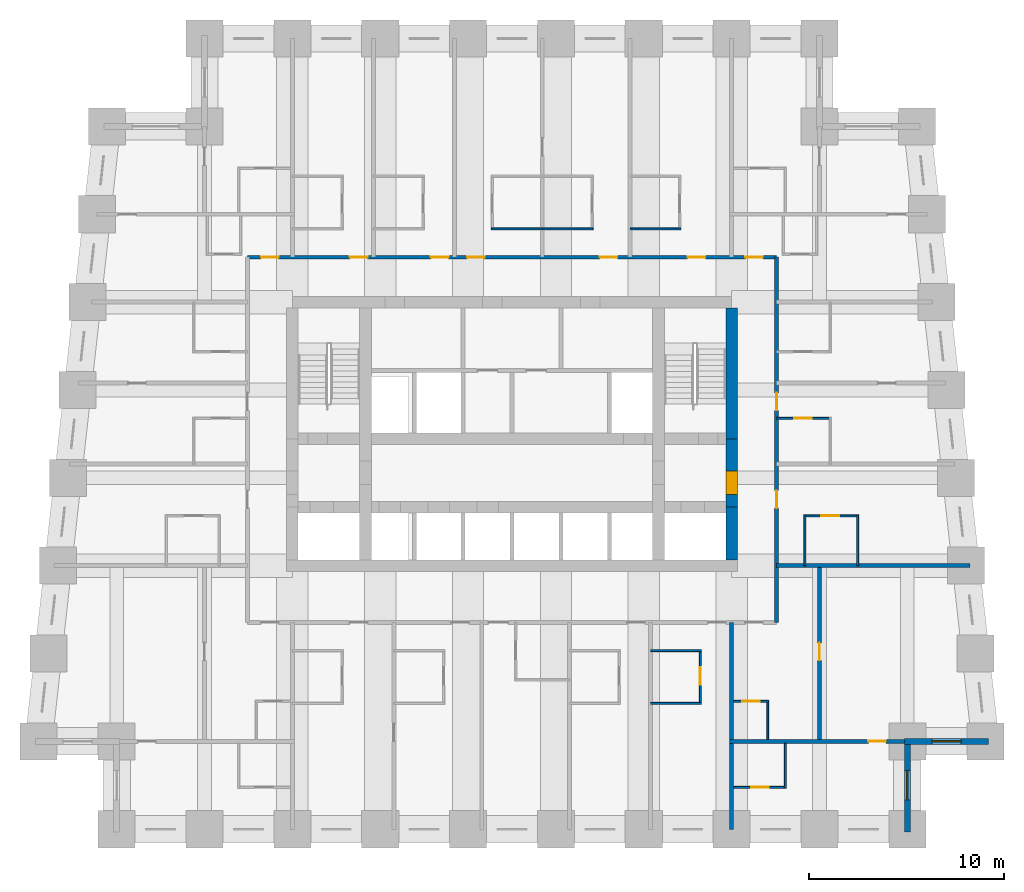
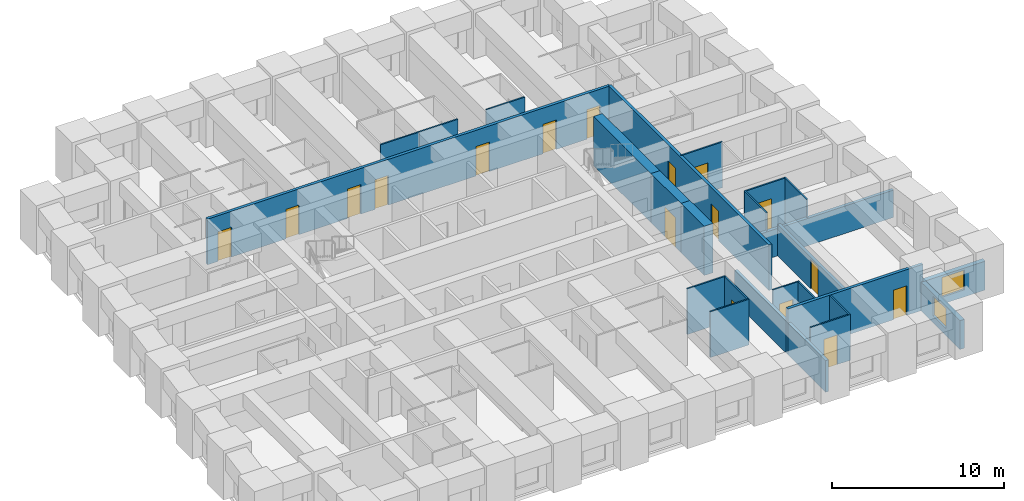
# One storey, part 5 of 8: 25 walls, 17 doors, 2 windows, 19 openings.
"""IFC4 building model written with IfcOpenShell, lengths in metres."""

from ifc_helpers import new_model, si_unit, direction, frame, frame_2d, origin, place, context, subcontext, project, spatial, rectangle, extrude, material, layer, layer_set, type_object, element, fill, save


model = new_model("IFC4")

# Units and contexts
model_context = context("Model", 3, precision=1e-05, world=origin(), true_north=direction((0.0, 1.0)))
body_context = subcontext(model_context, "Body", "Model", "MODEL_VIEW")
ifc_project = project(units=[si_unit("LENGTHUNIT", "METRE"), si_unit("AREAUNIT", "SQUARE_METRE"), si_unit("VOLUMEUNIT", "CUBIC_METRE"), si_unit("PLANEANGLEUNIT", "RADIAN"), si_unit("MASSUNIT", "GRAM", prefix="KILO")], contexts=[model_context])

# Site, building, storey
site_placement = place(None, origin())
site = spatial("IfcSite", under=ifc_project, at=site_placement, CompositionType="ELEMENT")
building_placement = place(site_placement, origin())
building = spatial("IfcBuilding", under=site, at=building_placement, Name="Kilele Tower Hotel", CompositionType="ELEMENT")
storey_placement = place(building_placement, frame((0.0, 0.0, 47.199951171875)))
storey = spatial("IfcBuildingStorey", under=building, at=storey_placement, Name="L10", CompositionType="ELEMENT", Elevation=47.199951171875)

# Walls
ifc_material_1 = material(Name="Moisture-resistant board")
ifc_layer_1 = layer(ifc_material_1, 0.10009765625)
ifc_layer_set_1 = layer_set([ifc_layer_1], Name="Moisture-resistant board")
wall_type_1 = type_object("IfcWallType", Name="Bathroom partition 100", PredefinedType="PLUMBINGWALL", material=ifc_layer_set_1)
for number, where, z_axis, x_axis, name in (
    (1, (31.85009765625, 9.14990234375, 0.0), (0.0, 0.0, 1.0), (1.0, 0.0, 0.0), "Bathroom partition 100 L10"),
    (2, (31.85009765625, 6.449951171875, 0.0), (0.0, 0.0, 1.0), (1.0, 0.0, 0.0), "Bathroom partition 100 L10"),
):
    element("IfcWall", number, at=place(storey_placement, frame(where, z_axis=z_axis, x_axis=x_axis)), inside=storey, type_object=wall_type_1, Name=name, PredefinedType="PLUMBINGWALL", context=body_context, shape_type="SweptSolid", body=[
        extrude(rectangle(XDim=2.599853515625, YDim=0.10009765625, at=frame_2d((1.2998046875, 0.0))), origin(), (0.0, 0.0, 1.0), 3.25),
    ])

# Wall, opening, door
wall_1_placement = place(storey_placement, frame((34.39990234375, 9.199951171875, 0.0), z_axis=(0.0, 0.0, 1.0), x_axis=(0.0, -1.0, 0.0)))
wall_1 = element("IfcWall", 3, at=wall_1_placement, inside=storey, type_object=wall_type_1, Name="Bathroom partition 100 L10", PredefinedType="PLUMBINGWALL", context=body_context, shape_type="SweptSolid", body=[
    extrude(rectangle(XDim=2.800048828125, YDim=0.10009765625, at=frame_2d((1.39990234375, 0.0))), origin(), (0.0, 0.0, 1.0), 3.25),
])
opening_1_placement = place(wall_1_placement, frame((0.89990234375, 0.0, 0.0)))
opening_1 = element("IfcOpeningElement", 4, at=opening_1_placement, cuts=wall_1, Name="Opening D2A", PredefinedType="OPENING", context=body_context, shape_type="SweptSolid", body=[
    extrude(rectangle(XDim=0.89990234375, YDim=2.10009765625, at=frame_2d((0.449951171875, 1.050048828125))), frame((0.0, 0.06005859375, 0.0), z_axis=(0.0, -1.0, 0.0), x_axis=(1.0, 0.0, 0.0)), (0.0, 0.0, 1.0), 0.1201171875),
])
ifc_material_2 = material(Name="Timber door leaf in hardwood frame", Category="wood")
door_type_1 = type_object("IfcDoorType", Name="Bathroom door 900", OperationType="SINGLE_SWING_LEFT", PredefinedType="DOOR", material=ifc_material_2)
door_1_placement = place(opening_1_placement, origin())
door_1 = element("IfcDoor", 5, at=door_1_placement, inside=storey, type_object=door_type_1, Name="Bathroom door 1005B", OperationType="SINGLE_SWING_LEFT", OverallHeight=2.10009765625, OverallWidth=0.89990234375, PredefinedType="DOOR", context=body_context, shape_type="SweptSolid", body=[
    extrude(rectangle(XDim=0.89990234375, YDim=2.10009765625, at=frame_2d((0.449951171875, 1.050048828125))), frame((0.0, 0.02490234375, 0.0), z_axis=(0.0, -1.0, 0.0), x_axis=(1.0, 0.0, 0.0)), (0.0, 0.0, 1.0), 0.050048828125),
])
fill(opening_1, door_1)

# Walls
for number, where, z_axis, x_axis, name in (
    (6, (39.75, 13.5, 0.0), (0.0, 0.0, 1.0), (0.0, 1.0, 0.0), "Bathroom partition 100 L10"),
    (7, (42.449951171875, 13.5, 0.0), (0.0, 0.0, 1.0), (0.0, 1.0, 0.0), "Bathroom partition 100 L10"),
):
    element("IfcWall", number, at=place(storey_placement, frame(where, z_axis=z_axis, x_axis=x_axis)), inside=storey, type_object=wall_type_1, Name=name, PredefinedType="PLUMBINGWALL", context=body_context, shape_type="SweptSolid", body=[
        extrude(rectangle(XDim=2.60009765625, YDim=0.10009765625, at=frame_2d((1.300048828125, 0.0))), origin(), (0.0, 0.0, 1.0), 3.25),
    ])

# Wall, opening, door
wall_2_placement = place(storey_placement, frame((39.699951171875, 16.050048828125, 0.0), z_axis=(0.0, 0.0, 1.0), x_axis=(1.0, 0.0, 0.0)))
wall_2 = element("IfcWall", 8, at=wall_2_placement, inside=storey, type_object=wall_type_1, Name="Bathroom partition 100 L10", PredefinedType="PLUMBINGWALL", context=body_context, shape_type="SweptSolid", body=[
    extrude(rectangle(XDim=2.800048828125, YDim=0.10009765625, at=frame_2d((1.39990234375, 0.0))), origin(), (0.0, 0.0, 1.0), 3.25),
])
opening_2_placement = place(wall_2_placement, frame((0.89990234375, 0.0, 0.0)))
opening_2 = element("IfcOpeningElement", 9, at=opening_2_placement, cuts=wall_2, Name="Opening D2A", PredefinedType="OPENING", context=body_context, shape_type="SweptSolid", body=[
    extrude(rectangle(XDim=0.89990234375, YDim=2.10009765625, at=frame_2d((0.449951171875, 1.050048828125))), frame((0.0, 0.06005859375, 0.0), z_axis=(0.0, -1.0, 0.0), x_axis=(1.0, 0.0, 0.0)), (0.0, 0.0, 1.0), 0.1201171875),
])
door_2_placement = place(opening_2_placement, origin())
door_2 = element("IfcDoor", 10, at=door_2_placement, inside=storey, type_object=door_type_1, Name="Bathroom door 1006B", OperationType="SINGLE_SWING_LEFT", OverallHeight=2.10009765625, OverallWidth=0.89990234375, PredefinedType="DOOR", context=body_context, shape_type="SweptSolid", body=[
    extrude(rectangle(XDim=0.89990234375, YDim=2.10009765625, at=frame_2d((0.449951171875, 1.050048828125))), frame((0.0, 0.02490234375, 0.0), z_axis=(0.0, -1.0, 0.0), x_axis=(1.0, 0.0, 0.0)), (0.0, 0.0, 1.0), 0.050048828125),
])
fill(opening_2, door_2)

wall_3_placement = place(storey_placement, frame((38.300048828125, 21.050048828125, 0.0), z_axis=(0.0, 0.0, 1.0), x_axis=(1.0, 0.0, 0.0)))
wall_3 = element("IfcWall", 11, at=wall_3_placement, inside=storey, type_object=wall_type_1, Name="Bathroom partition 100 L10", PredefinedType="PLUMBINGWALL", context=body_context, shape_type="SweptSolid", body=[
    extrude(rectangle(XDim=2.800048828125, YDim=0.10009765625, at=frame_2d((1.39990234375, 0.0))), origin(), (0.0, 0.0, 1.0), 3.25),
])
opening_3_placement = place(wall_3_placement, frame((0.89990234375, 0.0, 0.0)))
opening_3 = element("IfcOpeningElement", 12, at=opening_3_placement, cuts=wall_3, Name="Opening D2A", PredefinedType="OPENING", context=body_context, shape_type="SweptSolid", body=[
    extrude(rectangle(XDim=0.89990234375, YDim=2.10009765625, at=frame_2d((0.449951171875, 1.050048828125))), frame((0.0, 0.06005859375, 0.0), z_axis=(0.0, -1.0, 0.0), x_axis=(1.0, 0.0, 0.0)), (0.0, 0.0, 1.0), 0.1201171875),
])
door_3_placement = place(opening_3_placement, origin())
door_3 = element("IfcDoor", 13, at=door_3_placement, inside=storey, type_object=door_type_1, Name="Bathroom door 1007B", OperationType="SINGLE_SWING_LEFT", OverallHeight=2.10009765625, OverallWidth=0.89990234375, PredefinedType="DOOR", context=body_context, shape_type="SweptSolid", body=[
    extrude(rectangle(XDim=0.89990234375, YDim=2.10009765625, at=frame_2d((0.449951171875, 1.050048828125))), frame((0.0, 0.02490234375, 0.0), z_axis=(0.0, -1.0, 0.0), x_axis=(1.0, 0.0, 0.0)), (0.0, 0.0, 1.0), 0.050048828125),
])
fill(opening_3, door_3)

# Walls
wall_4_placement = place(storey_placement, frame((23.699951171875, 30.75, 0.0), z_axis=(0.0, 0.0, 1.0), x_axis=(1.0, 0.0, 0.0)))
element("IfcWall", 14, at=wall_4_placement, inside=storey, type_object=wall_type_1, Name="Bathroom partition 100 L10", PredefinedType="PLUMBINGWALL", context=body_context, shape_type="SweptSolid", body=[
    extrude(rectangle(XDim=2.60009765625, YDim=0.10009765625, at=frame_2d((1.300048828125, 0.0))), origin(), (0.0, 0.0, 1.0), 3.25),
])
for number, where, z_axis, x_axis, name in (
    (15, (26.300048828125, 30.75, 0.0), (0.0, 0.0, 1.0), (1.0, 0.0, 0.0), "Bathroom partition 100 L10"),
    (16, (30.800048828125, 30.75, 0.0), (0.0, 0.0, 1.0), (1.0, 0.0, 0.0), "Bathroom partition 100 L10"),
):
    element("IfcWall", number, at=place(storey_placement, frame(where, z_axis=z_axis, x_axis=x_axis)), inside=storey, type_object=wall_type_1, Name=name, PredefinedType="PLUMBINGWALL", context=body_context, shape_type="SweptSolid", body=[
        extrude(rectangle(XDim=2.599853515625, YDim=0.10009765625, at=frame_2d((1.2998046875, 0.0))), origin(), (0.0, 0.0, 1.0), 3.25),
    ])
wall_5_placement = place(storey_placement, frame((37.85009765625, 4.60009765625, 0.0), z_axis=(0.0, 0.0, 1.0), x_axis=(0.0, 1.0, 0.0)))
element("IfcWall", 17, at=wall_5_placement, inside=storey, type_object=wall_type_1, Name="Bathroom partition 100 L10", PredefinedType="PLUMBINGWALL", context=body_context, shape_type="SweptSolid", body=[
    extrude(rectangle(XDim=2.0, YDim=0.10009765625, at=frame_2d((1.0, 0.0))), origin(), (0.0, 0.0, 1.0), 3.25),
])

# Wall, opening, door
wall_6_placement = place(storey_placement, frame((36.10009765625, 6.550048828125, 0.0), z_axis=(0.0, 0.0, 1.0), x_axis=(1.0, 0.0, 0.0)))
wall_6 = element("IfcWall", 18, at=wall_6_placement, inside=storey, type_object=wall_type_1, Name="Bathroom partition 100 L10", PredefinedType="PLUMBINGWALL", context=body_context, shape_type="SweptSolid", body=[
    extrude(rectangle(XDim=1.7998046875, YDim=0.10009765625, at=frame_2d((0.89990234375, 0.0))), origin(), (0.0, 0.0, 1.0), 3.25),
])
opening_4_placement = place(wall_6_placement, frame((0.449951171875, 0.0, 0.0)))
opening_4 = element("IfcOpeningElement", 19, at=opening_4_placement, cuts=wall_6, Name="Opening D2A", PredefinedType="OPENING", context=body_context, shape_type="SweptSolid", body=[
    extrude(rectangle(XDim=0.89990234375, YDim=2.10009765625, at=frame_2d((0.449951171875, 1.050048828125))), frame((0.0, 0.06005859375, 0.0), z_axis=(0.0, -1.0, 0.0), x_axis=(1.0, 0.0, 0.0)), (0.0, 0.0, 1.0), 0.1201171875),
])
door_4_placement = place(opening_4_placement, origin())
door_4 = element("IfcDoor", 20, at=door_4_placement, inside=storey, type_object=door_type_1, Name="Bathroom door 1020P", OperationType="SINGLE_SWING_LEFT", OverallHeight=2.10009765625, OverallWidth=0.89990234375, PredefinedType="DOOR", context=body_context, shape_type="SweptSolid", body=[
    extrude(rectangle(XDim=0.89990234375, YDim=2.10009765625, at=frame_2d((0.449951171875, 1.050048828125))), frame((0.0, 0.02490234375, 0.0), z_axis=(0.0, -1.0, 0.0), x_axis=(1.0, 0.0, 0.0)), (0.0, 0.0, 1.0), 0.050048828125),
])
fill(opening_4, door_4)

# Wall
wall_7_placement = place(storey_placement, frame((38.75, 4.39990234375, 0.0), z_axis=(0.0, 0.0, 1.0), x_axis=(0.0, -1.0, 0.0)))
element("IfcWall", 21, at=wall_7_placement, inside=storey, type_object=wall_type_1, Name="Bathroom partition 100 L10", PredefinedType="PLUMBINGWALL", context=body_context, shape_type="SweptSolid", body=[
    extrude(rectangle(XDim=2.2998046875, YDim=0.10009765625, at=frame_2d((1.14990234375, 0.0))), origin(), (0.0, 0.0, 1.0), 3.25),
])

# Wall, opening, door
wall_8_placement = place(storey_placement, frame((36.10009765625, 2.14990234375, 0.0), z_axis=(0.0, 0.0, 1.0), x_axis=(1.0, 0.0, 0.0)))
wall_8 = element("IfcWall", 22, at=wall_8_placement, inside=storey, type_object=wall_type_1, Name="Bathroom partition 100 L10", PredefinedType="PLUMBINGWALL", context=body_context, shape_type="SweptSolid", body=[
    extrude(rectangle(XDim=2.699951171875, YDim=0.10009765625, at=frame_2d((1.35009765625, 0.0))), origin(), (0.0, 0.0, 1.0), 3.25),
])
opening_5_placement = place(wall_8_placement, frame((1.7998046875, 0.0, 0.0), z_axis=(0.0, 0.0, 1.0), x_axis=(-1.0, 0.0, 0.0)))
opening_5 = element("IfcOpeningElement", 23, at=opening_5_placement, cuts=wall_8, Name="Opening D2A", PredefinedType="OPENING", context=body_context, shape_type="SweptSolid", body=[
    extrude(rectangle(XDim=0.89990234375, YDim=2.10009765625, at=frame_2d((0.449951171875, 1.050048828125))), frame((0.0, 0.06005859375, 0.0), z_axis=(0.0, -1.0, 0.0), x_axis=(1.0, 0.0, 0.0)), (0.0, 0.0, 1.0), 0.1201171875),
])
door_5_placement = place(opening_5_placement, origin())
door_5 = element("IfcDoor", 24, at=door_5_placement, inside=storey, type_object=door_type_1, Name="Bathroom door 1022B", OperationType="SINGLE_SWING_RIGHT", OverallHeight=2.10009765625, OverallWidth=0.89990234375, PredefinedType="DOOR", context=body_context, shape_type="SweptSolid", body=[
    extrude(rectangle(XDim=0.89990234375, YDim=2.10009765625, at=frame_2d((0.449951171875, 1.050048828125))), frame((0.0, 0.02490234375, 0.0), z_axis=(0.0, -1.0, 0.0), x_axis=(1.0, 0.0, 0.0)), (0.0, 0.0, 1.0), 0.050048828125),
])
fill(opening_5, door_5)

# Wall
ifc_material_3 = material(Name="Concrete C60/75", Category="concrete")
ifc_layer_2 = layer(ifc_material_3, 0.60009765625)
ifc_layer_set_2 = layer_set([ifc_layer_2], Name="Concrete C60/75")
wall_type_2 = type_object("IfcWallType", Name="Core wall 600 C60/75", PredefinedType="SHEAR", material=ifc_layer_set_2)
wall_9_placement = place(storey_placement, frame((36.0, 13.800048828125, 0.0), z_axis=(0.0, 0.0, 1.0), x_axis=(0.0, 1.0, 0.0)))
element("IfcWall", 25, at=wall_9_placement, inside=storey, type_object=wall_type_2, Name="Core wall E1 L10", PredefinedType="SHEAR", context=body_context, shape_type="SweptSolid", body=[
    extrude(rectangle(XDim=2.699951171875, YDim=0.60009765625, at=frame_2d((1.35009765625, 0.0))), origin(), (0.0, 0.0, 1.0), 3.5),
])

# Wall, opening, door
wall_10_placement = place(storey_placement, frame((36.0, 16.5, 0.0), z_axis=(0.0, 0.0, 1.0), x_axis=(0.0, 1.0, 0.0)))
wall_10 = element("IfcWall", 26, at=wall_10_placement, inside=storey, type_object=wall_type_2, Name="Core wall E2 L10", PredefinedType="SHEAR", context=body_context, shape_type="SweptSolid", body=[
    extrude(rectangle(XDim=3.5, YDim=0.60009765625, at=frame_2d((1.75, 0.0))), origin(), (0.0, 0.0, 1.0), 3.5),
])
opening_6_placement = place(wall_10_placement, frame((0.64990234375, 0.0, 0.0)))
opening_6 = element("IfcOpeningElement", 27, at=opening_6_placement, cuts=wall_10, Name="Opening D4", PredefinedType="OPENING", context=body_context, shape_type="SweptSolid", body=[
    extrude(rectangle(XDim=1.199951171875, YDim=2.10009765625, at=frame_2d((0.60009765625, 1.050048828125))), frame((0.0, 0.31005859375, 0.0), z_axis=(0.0, -1.0, 0.0), x_axis=(1.0, 0.0, 0.0)), (0.0, 0.0, 1.0), 0.6201171875),
])
ifc_material_4 = material(Name="Timber door leaf in hardwood frame", Category="wood")
door_type_2 = type_object("IfcDoorType", Name="Firefighting lobby door 1200", OperationType="SINGLE_SWING_LEFT", PredefinedType="DOOR", material=ifc_material_4)
door_6_placement = place(opening_6_placement, origin())
door_6 = element("IfcDoor", 28, at=door_6_placement, inside=storey, type_object=door_type_2, Name="Lobby door L10", OperationType="SINGLE_SWING_LEFT", OverallHeight=2.10009765625, OverallWidth=1.199951171875, PredefinedType="DOOR", context=body_context, shape_type="SweptSolid", body=[
    extrude(rectangle(XDim=1.199951171875, YDim=2.10009765625, at=frame_2d((0.60009765625, 1.050048828125))), frame((0.0, 0.2998046875, 0.0), z_axis=(0.0, -1.0, 0.0), x_axis=(1.0, 0.0, 0.0)), (0.0, 0.0, 1.0), 0.599609375),
])
fill(opening_6, door_6)

# Wall
wall_11_placement = place(storey_placement, frame((36.0, 20.0, 0.0), z_axis=(0.0, 0.0, 1.0), x_axis=(0.0, 1.0, 0.0)))
element("IfcWall", 29, at=wall_11_placement, inside=storey, type_object=wall_type_2, Name="Core wall E3 L10", PredefinedType="SHEAR", context=body_context, shape_type="SweptSolid", body=[
    extrude(rectangle(XDim=6.699951171875, YDim=0.60009765625, at=frame_2d((3.35009765625, 0.0))), origin(), (0.0, 0.0, 1.0), 3.5),
])

# Wall, openings, doors
ifc_material_5 = material(Name="Blockwork, plastered both sides", Category="masonry")
ifc_layer_3 = layer(ifc_material_5, 0.199951171875)
ifc_layer_set_3 = layer_set([ifc_layer_3], Name="Blockwork, plastered both sides")
wall_type_3 = type_object("IfcWallType", Name="Corridor wall 200", PredefinedType="PARTITIONING", material=ifc_layer_set_3)
wall_12_placement = place(storey_placement, frame((11.199951171875, 29.300048828125, 0.0), z_axis=(0.0, 0.0, 1.0), x_axis=(1.0, 0.0, 0.0)))
wall_12 = element("IfcWall", 30, at=wall_12_placement, inside=storey, type_object=wall_type_3, Name="Corridor wall 200 L10", PredefinedType="PARTITIONING", context=body_context, shape_type="SweptSolid", body=[
    extrude(rectangle(XDim=27.10009765625, YDim=0.199951171875, at=frame_2d((13.550048828125, 0.0))), origin(), (0.0, 0.0, 1.0), 3.25),
])
opening_7_placement = place(wall_12_placement, frame((5.25, 0.0, 0.0)))
opening_7 = element("IfcOpeningElement", 31, at=opening_7_placement, cuts=wall_12, Name="Opening D1", PredefinedType="OPENING", context=body_context, shape_type="SweptSolid", body=[
    extrude(rectangle(XDim=0.89990234375, YDim=2.10009765625, at=frame_2d((0.449951171875, 1.050048828125))), frame((0.0, 0.10986328125, 0.0), z_axis=(0.0, -1.0, 0.0), x_axis=(1.0, 0.0, 0.0)), (0.0, 0.0, 1.0), 0.219970703125),
])
opening_8_placement = place(wall_12_placement, frame((9.39990234375, 0.0, 0.0)))
opening_8 = element("IfcOpeningElement", 32, at=opening_8_placement, cuts=wall_12, Name="Opening D1", PredefinedType="OPENING", context=body_context, shape_type="SweptSolid", body=[
    extrude(rectangle(XDim=0.89990234375, YDim=2.10009765625, at=frame_2d((0.449951171875, 1.050048828125))), frame((0.0, 0.10986328125, 0.0), z_axis=(0.0, -1.0, 0.0), x_axis=(1.0, 0.0, 0.0)), (0.0, 0.0, 1.0), 0.219970703125),
])
opening_9_placement = place(wall_12_placement, frame((11.25, 0.0, 0.0)))
opening_9 = element("IfcOpeningElement", 33, at=opening_9_placement, cuts=wall_12, Name="Opening D1", PredefinedType="OPENING", context=body_context, shape_type="SweptSolid", body=[
    extrude(rectangle(XDim=0.89990234375, YDim=2.10009765625, at=frame_2d((0.449951171875, 1.050048828125))), frame((0.0, 0.10986328125, 0.0), z_axis=(0.0, -1.0, 0.0), x_axis=(1.0, 0.0, 0.0)), (0.0, 0.0, 1.0), 0.219970703125),
])
opening_10_placement = place(wall_12_placement, frame((18.050048828125, 0.0, 0.0)))
opening_10 = element("IfcOpeningElement", 34, at=opening_10_placement, cuts=wall_12, Name="Opening D1", PredefinedType="OPENING", context=body_context, shape_type="SweptSolid", body=[
    extrude(rectangle(XDim=0.89990234375, YDim=2.10009765625, at=frame_2d((0.449951171875, 1.050048828125))), frame((0.0, 0.10986328125, 0.0), z_axis=(0.0, -1.0, 0.0), x_axis=(1.0, 0.0, 0.0)), (0.0, 0.0, 1.0), 0.219970703125),
])
opening_11_placement = place(wall_12_placement, frame((22.550048828125, 0.0, 0.0)))
opening_11 = element("IfcOpeningElement", 35, at=opening_11_placement, cuts=wall_12, Name="Opening D1", PredefinedType="OPENING", context=body_context, shape_type="SweptSolid", body=[
    extrude(rectangle(XDim=0.89990234375, YDim=2.10009765625, at=frame_2d((0.449951171875, 1.050048828125))), frame((0.0, 0.10986328125, 0.0), z_axis=(0.0, -1.0, 0.0), x_axis=(1.0, 0.0, 0.0)), (0.0, 0.0, 1.0), 0.219970703125),
])
opening_12_placement = place(wall_12_placement, frame((25.5, 0.0, 0.0)))
opening_12 = element("IfcOpeningElement", 36, at=opening_12_placement, cuts=wall_12, Name="Opening D1", PredefinedType="OPENING", context=body_context, shape_type="SweptSolid", body=[
    extrude(rectangle(XDim=0.89990234375, YDim=2.10009765625, at=frame_2d((0.449951171875, 1.050048828125))), frame((0.0, 0.10986328125, 0.0), z_axis=(0.0, -1.0, 0.0), x_axis=(1.0, 0.0, 0.0)), (0.0, 0.0, 1.0), 0.219970703125),
])
opening_13_placement = place(wall_12_placement, frame((0.699951171875, 0.0, 0.0)))
opening_13 = element("IfcOpeningElement", 37, at=opening_13_placement, cuts=wall_12, Name="Opening D1", PredefinedType="OPENING", context=body_context, shape_type="SweptSolid", body=[
    extrude(rectangle(XDim=0.89990234375, YDim=2.10009765625, at=frame_2d((0.449951171875, 1.050048828125))), frame((0.0, 0.10986328125, 0.0), z_axis=(0.0, -1.0, 0.0), x_axis=(1.0, 0.0, 0.0)), (0.0, 0.0, 1.0), 0.219970703125),
])
ifc_material_6 = material(Name="Timber door leaf in hardwood frame", Category="wood")
door_type_3 = type_object("IfcDoorType", Name="Guest room entrance door 900", OperationType="SINGLE_SWING_LEFT", PredefinedType="DOOR", material=ifc_material_6)
door_7_placement = place(opening_7_placement, origin())
door_7 = element("IfcDoor", 38, at=door_7_placement, inside=storey, type_object=door_type_3, Name="Room entrance 1009", OperationType="SINGLE_SWING_RIGHT", OverallHeight=2.10009765625, OverallWidth=0.89990234375, PredefinedType="DOOR", context=body_context, shape_type="SweptSolid", body=[
    extrude(rectangle(XDim=0.89990234375, YDim=2.10009765625, at=frame_2d((0.449951171875, 1.050048828125))), frame((0.0, 0.02490234375, 0.0), z_axis=(0.0, -1.0, 0.0), x_axis=(1.0, 0.0, 0.0)), (0.0, 0.0, 1.0), 0.050048828125),
])
fill(opening_7, door_7)
door_8_placement = place(opening_8_placement, origin())
door_8 = element("IfcDoor", 39, at=door_8_placement, inside=storey, type_object=door_type_3, Name="Room entrance 1010", OperationType="SINGLE_SWING_RIGHT", OverallHeight=2.10009765625, OverallWidth=0.89990234375, PredefinedType="DOOR", context=body_context, shape_type="SweptSolid", body=[
    extrude(rectangle(XDim=0.89990234375, YDim=2.10009765625, at=frame_2d((0.449951171875, 1.050048828125))), frame((0.0, 0.02490234375, 0.0), z_axis=(0.0, -1.0, 0.0), x_axis=(1.0, 0.0, 0.0)), (0.0, 0.0, 1.0), 0.050048828125),
])
fill(opening_8, door_8)
door_9_placement = place(opening_9_placement, origin())
door_9 = element("IfcDoor", 40, at=door_9_placement, inside=storey, type_object=door_type_3, Name="Room entrance 1011", OperationType="SINGLE_SWING_LEFT", OverallHeight=2.10009765625, OverallWidth=0.89990234375, PredefinedType="DOOR", context=body_context, shape_type="SweptSolid", body=[
    extrude(rectangle(XDim=0.89990234375, YDim=2.10009765625, at=frame_2d((0.449951171875, 1.050048828125))), frame((0.0, 0.02490234375, 0.0), z_axis=(0.0, -1.0, 0.0), x_axis=(1.0, 0.0, 0.0)), (0.0, 0.0, 1.0), 0.050048828125),
])
fill(opening_9, door_9)
door_10_placement = place(opening_10_placement, origin())
door_10 = element("IfcDoor", 41, at=door_10_placement, inside=storey, type_object=door_type_3, Name="Room entrance 1012", OperationType="SINGLE_SWING_RIGHT", OverallHeight=2.10009765625, OverallWidth=0.89990234375, PredefinedType="DOOR", context=body_context, shape_type="SweptSolid", body=[
    extrude(rectangle(XDim=0.89990234375, YDim=2.10009765625, at=frame_2d((0.449951171875, 1.050048828125))), frame((0.0, 0.02490234375, 0.0), z_axis=(0.0, -1.0, 0.0), x_axis=(1.0, 0.0, 0.0)), (0.0, 0.0, 1.0), 0.050048828125),
])
fill(opening_10, door_10)
door_11_placement = place(opening_11_placement, origin())
door_11 = element("IfcDoor", 42, at=door_11_placement, inside=storey, type_object=door_type_3, Name="Room entrance 1013", OperationType="SINGLE_SWING_RIGHT", OverallHeight=2.10009765625, OverallWidth=0.89990234375, PredefinedType="DOOR", context=body_context, shape_type="SweptSolid", body=[
    extrude(rectangle(XDim=0.89990234375, YDim=2.10009765625, at=frame_2d((0.449951171875, 1.050048828125))), frame((0.0, 0.02490234375, 0.0), z_axis=(0.0, -1.0, 0.0), x_axis=(1.0, 0.0, 0.0)), (0.0, 0.0, 1.0), 0.050048828125),
])
fill(opening_11, door_11)
door_12_placement = place(opening_12_placement, origin())
door_12 = element("IfcDoor", 43, at=door_12_placement, inside=storey, type_object=door_type_3, Name="Room entrance 1023", OperationType="SINGLE_SWING_LEFT", OverallHeight=2.10009765625, OverallWidth=0.89990234375, PredefinedType="DOOR", context=body_context, shape_type="SweptSolid", body=[
    extrude(rectangle(XDim=0.89990234375, YDim=2.10009765625, at=frame_2d((0.449951171875, 1.050048828125))), frame((0.0, 0.02490234375, 0.0), z_axis=(0.0, -1.0, 0.0), x_axis=(1.0, 0.0, 0.0)), (0.0, 0.0, 1.0), 0.050048828125),
])
fill(opening_12, door_12)
door_13_placement = place(opening_13_placement, origin())
door_13 = element("IfcDoor", 44, at=door_13_placement, inside=storey, type_object=door_type_3, Name="Room entrance 1026", OperationType="SINGLE_SWING_RIGHT", OverallHeight=2.10009765625, OverallWidth=0.89990234375, PredefinedType="DOOR", context=body_context, shape_type="SweptSolid", body=[
    extrude(rectangle(XDim=0.89990234375, YDim=2.10009765625, at=frame_2d((0.449951171875, 1.050048828125))), frame((0.0, 0.02490234375, 0.0), z_axis=(0.0, -1.0, 0.0), x_axis=(1.0, 0.0, 0.0)), (0.0, 0.0, 1.0), 0.050048828125),
])
fill(opening_13, door_13)

wall_13_placement = place(storey_placement, frame((38.300048828125, 10.60009765625, 0.0), z_axis=(0.0, 0.0, 1.0), x_axis=(0.0, 1.0, 0.0)))
wall_13 = element("IfcWall", 45, at=wall_13_placement, inside=storey, type_object=wall_type_3, Name="Corridor wall 200 L10", PredefinedType="PARTITIONING", context=body_context, shape_type="SweptSolid", body=[
    extrude(rectangle(XDim=18.699951171875, YDim=0.199951171875, at=frame_2d((9.35009765625, 0.0))), origin(), (0.0, 0.0, 1.0), 3.25),
])
opening_14_placement = place(wall_13_placement, frame((6.75, 0.0, 0.0), z_axis=(0.0, 0.0, 1.0), x_axis=(-1.0, 0.0, 0.0)))
opening_14 = element("IfcOpeningElement", 46, at=opening_14_placement, cuts=wall_13, Name="Opening D1", PredefinedType="OPENING", context=body_context, shape_type="SweptSolid", body=[
    extrude(rectangle(XDim=0.89990234375, YDim=2.10009765625, at=frame_2d((0.449951171875, 1.050048828125))), frame((0.0, 0.10986328125, 0.0), z_axis=(0.0, -1.0, 0.0), x_axis=(1.0, 0.0, 0.0)), (0.0, 0.0, 1.0), 0.219970703125),
])
opening_15_placement = place(wall_13_placement, frame((11.75, 0.0, 0.0), z_axis=(0.0, 0.0, 1.0), x_axis=(-1.0, 0.0, 0.0)))
opening_15 = element("IfcOpeningElement", 47, at=opening_15_placement, cuts=wall_13, Name="Opening D1", PredefinedType="OPENING", context=body_context, shape_type="SweptSolid", body=[
    extrude(rectangle(XDim=0.89990234375, YDim=2.10009765625, at=frame_2d((0.449951171875, 1.050048828125))), frame((0.0, 0.10986328125, 0.0), z_axis=(0.0, -1.0, 0.0), x_axis=(1.0, 0.0, 0.0)), (0.0, 0.0, 1.0), 0.219970703125),
])
door_14_placement = place(opening_14_placement, origin())
door_14 = element("IfcDoor", 48, at=door_14_placement, inside=storey, type_object=door_type_3, Name="Room entrance 1006", OperationType="SINGLE_SWING_LEFT", OverallHeight=2.10009765625, OverallWidth=0.89990234375, PredefinedType="DOOR", context=body_context, shape_type="SweptSolid", body=[
    extrude(rectangle(XDim=0.89990234375, YDim=2.10009765625, at=frame_2d((0.449951171875, 1.050048828125))), frame((0.0, 0.02490234375, 0.0), z_axis=(0.0, -1.0, 0.0), x_axis=(1.0, 0.0, 0.0)), (0.0, 0.0, 1.0), 0.050048828125),
])
fill(opening_14, door_14)
door_15_placement = place(opening_15_placement, origin())
door_15 = element("IfcDoor", 49, at=door_15_placement, inside=storey, type_object=door_type_3, Name="Room entrance 1007", OperationType="SINGLE_SWING_LEFT", OverallHeight=2.10009765625, OverallWidth=0.89990234375, PredefinedType="DOOR", context=body_context, shape_type="SweptSolid", body=[
    extrude(rectangle(XDim=0.89990234375, YDim=2.10009765625, at=frame_2d((0.449951171875, 1.050048828125))), frame((0.0, 0.02490234375, 0.0), z_axis=(0.0, -1.0, 0.0), x_axis=(1.0, 0.0, 0.0)), (0.0, 0.0, 1.0), 0.050048828125),
])
fill(opening_15, door_15)

# Wall, opening, door
ifc_material_7 = material(Name="Blockwork, plastered both sides", Category="masonry")
ifc_layer_4 = layer(ifc_material_7, 0.199951171875)
ifc_layer_set_4 = layer_set([ifc_layer_4], Name="Blockwork, plastered both sides")
wall_type_4 = type_object("IfcWallType", Name="Partition wall 200", PredefinedType="PARTITIONING", material=ifc_layer_set_4)
wall_14_placement = place(storey_placement, frame((40.5, 4.60009765625, 0.0), z_axis=(0.0, 0.0, 1.0), x_axis=(0.0, 1.0, 0.0)))
wall_14 = element("IfcWall", 50, at=wall_14_placement, inside=storey, type_object=wall_type_4, Name="Partition wall 200 L10", PredefinedType="PARTITIONING", context=body_context, shape_type="SweptSolid", body=[
    extrude(rectangle(XDim=8.7998046875, YDim=0.199951171875, at=frame_2d((4.39990234375, 0.0))), origin(), (0.0, 0.0, 1.0), 2.25),
])
opening_16_placement = place(wall_14_placement, frame((4.050048828125, 0.0, 0.0)))
opening_16 = element("IfcOpeningElement", 51, at=opening_16_placement, cuts=wall_14, Name="Opening D3", PredefinedType="OPENING", context=body_context, shape_type="SweptSolid", body=[
    extrude(rectangle(XDim=0.89990234375, YDim=2.10009765625, at=frame_2d((0.449951171875, 1.050048828125))), frame((0.0, 0.10986328125, 0.0), z_axis=(0.0, -1.0, 0.0), x_axis=(1.0, 0.0, 0.0)), (0.0, 0.0, 1.0), 0.219970703125),
])
ifc_material_8 = material(Name="Timber door leaf in hardwood frame", Category="wood")
door_type_4 = type_object("IfcDoorType", Name="Suite internal door 900", OperationType="SINGLE_SWING_LEFT", PredefinedType="DOOR", material=ifc_material_8)
door_16_placement = place(opening_16_placement, origin())
door_16 = element("IfcDoor", 52, at=door_16_placement, inside=storey, type_object=door_type_4, Name="Suite door 1021", OperationType="SINGLE_SWING_RIGHT", OverallHeight=2.10009765625, OverallWidth=0.89990234375, PredefinedType="DOOR", context=body_context, shape_type="SweptSolid", body=[
    extrude(rectangle(XDim=0.89990234375, YDim=2.10009765625, at=frame_2d((0.449951171875, 1.050048828125))), frame((0.0, 0.02490234375, 0.0), z_axis=(0.0, -1.0, 0.0), x_axis=(1.0, 0.0, 0.0)), (0.0, 0.0, 1.0), 0.050048828125),
])
fill(opening_16, door_16)

# Walls
ifc_material_9 = material(Name="Blockwork, plastered both sides", Category="masonry")
ifc_layer_5 = layer(ifc_material_9, 0.199951171875)
ifc_layer_set_5 = layer_set([ifc_layer_5], Name="Blockwork, plastered both sides")
wall_type_5 = type_object("IfcWallType", Name="Party wall 200", PredefinedType="PARTITIONING", material=ifc_layer_set_5)
wall_15_placement = place(storey_placement, frame((38.300048828125, 13.5, 0.0), z_axis=(0.0, 0.0, 1.0), x_axis=(1.0, 0.0, 0.0)))
element("IfcWall", 53, at=wall_15_placement, inside=storey, type_object=wall_type_5, Name="Party wall 200 L10", PredefinedType="PARTITIONING", context=body_context, shape_type="SweptSolid", body=[
    extrude(rectangle(XDim=9.921142578125, YDim=0.199951171875, at=frame_2d((4.96044921875, 0.0))), origin(), (0.0, 0.0, 1.0), 1.949951171875),
])
wall_16_placement = place(storey_placement, frame((36.0, 10.60009765625, 0.0), z_axis=(0.0, 0.0, 1.0), x_axis=(0.0, -1.0, 0.0)))
element("IfcWall", 54, at=wall_16_placement, inside=storey, type_object=wall_type_5, Name="Party wall 200 L10", PredefinedType="PARTITIONING", context=body_context, shape_type="SweptSolid", body=[
    extrude(rectangle(XDim=10.60009765625, YDim=0.199951171875, at=frame_2d((5.300048828125, 0.0))), origin(), (0.0, 0.0, 1.0), 2.25),
])

# Wall, opening, door
wall_17_placement = place(storey_placement, frame((35.89990234375, 4.5, 0.0), z_axis=(0.0, 0.0, 1.0), x_axis=(1.0, 0.0, 0.0)))
wall_17 = element("IfcWall", 55, at=wall_17_placement, inside=storey, type_object=wall_type_5, Name="Party wall 200 L10", PredefinedType="PARTITIONING", context=body_context, shape_type="SweptSolid", body=[
    extrude(rectangle(XDim=9.10009765625, YDim=0.199951171875, at=frame_2d((4.550048828125, 0.0))), origin(), (0.0, 0.0, 1.0), 3.25),
])
opening_17_placement = place(wall_17_placement, frame((7.10009765625, 0.0, 0.0)))
opening_17 = element("IfcOpeningElement", 56, at=opening_17_placement, cuts=wall_17, Name="Opening D3", PredefinedType="OPENING", context=body_context, shape_type="SweptSolid", body=[
    extrude(rectangle(XDim=0.89990234375, YDim=2.10009765625, at=frame_2d((0.449951171875, 1.050048828125))), frame((0.0, 0.10986328125, 0.0), z_axis=(0.0, -1.0, 0.0), x_axis=(1.0, 0.0, 0.0)), (0.0, 0.0, 1.0), 0.219970703125),
])
door_17_placement = place(opening_17_placement, origin())
door_17 = element("IfcDoor", 57, at=door_17_placement, inside=storey, type_object=door_type_4, Name="Suite door 1022", OperationType="SINGLE_SWING_RIGHT", OverallHeight=2.10009765625, OverallWidth=0.89990234375, PredefinedType="DOOR", context=body_context, shape_type="SweptSolid", body=[
    extrude(rectangle(XDim=0.89990234375, YDim=2.10009765625, at=frame_2d((0.449951171875, 1.050048828125))), frame((0.0, 0.02490234375, 0.0), z_axis=(0.0, -1.0, 0.0), x_axis=(1.0, 0.0, 0.0)), (0.0, 0.0, 1.0), 0.050048828125),
])
fill(opening_17, door_17)

# Wall, opening, window
ifc_material_10 = material(Name="Concrete C40/50 precast", Category="concrete")
ifc_layer_6 = layer(ifc_material_10, 0.260009765625, Name="Precast backing", Category="LoadBearing")
ifc_material_11 = material(Name="Reconstituted stone finish", Category="masonry")
ifc_layer_7 = layer(ifc_material_11, 0.0400390625, Name="Face mix", Category="Finish")
ifc_layer_set_6 = layer_set([ifc_layer_6, ifc_layer_7], Name="Precast concrete C40/50, reconstituted stone finish")
wall_type_6 = type_object("IfcWallType", Name="Precast stone facade wall 300", PredefinedType="STANDARD", material=ifc_layer_set_6)
wall_18_placement = place(storey_placement, frame((45.0, -0.14990234375, 0.0), z_axis=(0.0, 0.0, 1.0), x_axis=(0.0, 1.0, 0.0)))
wall_18 = element("IfcWall", 58, at=wall_18_placement, inside=storey, type_object=wall_type_6, Name="Facade wall L10 edge 4", PredefinedType="STANDARD", context=body_context, shape_type="SweptSolid", body=[
    extrude(rectangle(XDim=4.7998046875, YDim=0.300048828125, at=frame_2d((2.39990234375, 0.0))), origin(), (0.0, 0.0, 1.0), 2.050048828125),
])
opening_18_placement = place(wall_18_placement, frame((1.64990234375, 0.0, 0.5)))
opening_18 = element("IfcOpeningElement", 59, at=opening_18_placement, cuts=wall_18, Name="Opening W1", PredefinedType="OPENING", context=body_context, shape_type="SweptSolid", body=[
    extrude(rectangle(XDim=1.5, YDim=1.39990234375, at=frame_2d((0.75, 0.699951171875))), frame((0.0, 0.159912109375, 0.0), z_axis=(0.0, -1.0, 0.0), x_axis=(1.0, 0.0, 0.0)), (0.0, 0.0, 1.0), 0.320068359375),
])
ifc_material_12 = material(Name="Aluminium frame, clear double glazing", Category="aluminium")
window_type = type_object("IfcWindowType", Name="Window W1 1500 x 1400", PartitioningType="SINGLE_PANEL", PredefinedType="WINDOW", material=ifc_material_12)
window_1_placement = place(opening_18_placement, origin())
window_1 = element("IfcWindow", 60, at=window_1_placement, inside=storey, type_object=window_type, Name="Window L10", OverallHeight=1.39990234375, OverallWidth=1.5, PartitioningType="SINGLE_PANEL", PredefinedType="WINDOW", context=body_context, shape_type="SweptSolid", body=[
    extrude(rectangle(XDim=1.5, YDim=1.39990234375, at=frame_2d((0.75, 0.699951171875))), frame((0.0, 0.030029296875, 0.0), z_axis=(0.0, -1.0, 0.0), x_axis=(1.0, 0.0, 0.0)), (0.0, 0.0, 1.0), 0.06005859375),
])
fill(opening_18, window_1)

wall_19_placement = place(storey_placement, frame((44.85009765625, 4.5, 0.0), z_axis=(0.0, 0.0, 1.0), x_axis=(1.0, 0.0, 0.0)))
wall_19 = element("IfcWall", 61, at=wall_19_placement, inside=storey, type_object=wall_type_6, Name="Facade wall L10 edge 5", PredefinedType="STANDARD", context=body_context, shape_type="SweptSolid", body=[
    extrude(rectangle(XDim=4.2998046875, YDim=0.300048828125, at=frame_2d((2.14990234375, 0.0))), origin(), (0.0, 0.0, 1.0), 2.050048828125),
])
opening_19_placement = place(wall_19_placement, frame((1.39990234375, 0.0, 0.5)))
opening_19 = element("IfcOpeningElement", 62, at=opening_19_placement, cuts=wall_19, Name="Opening W1", PredefinedType="OPENING", context=body_context, shape_type="SweptSolid", body=[
    extrude(rectangle(XDim=1.5, YDim=1.39990234375, at=frame_2d((0.75, 0.699951171875))), frame((0.0, 0.159912109375, 0.0), z_axis=(0.0, -1.0, 0.0), x_axis=(1.0, 0.0, 0.0)), (0.0, 0.0, 1.0), 0.320068359375),
])
window_2_placement = place(opening_19_placement, origin())
window_2 = element("IfcWindow", 63, at=window_2_placement, inside=storey, type_object=window_type, Name="Window L10", OverallHeight=1.39990234375, OverallWidth=1.5, PartitioningType="SINGLE_PANEL", PredefinedType="WINDOW", context=body_context, shape_type="SweptSolid", body=[
    extrude(rectangle(XDim=1.5, YDim=1.39990234375, at=frame_2d((0.75, 0.699951171875))), frame((0.0, 0.030029296875, 0.0), z_axis=(0.0, -1.0, 0.0), x_axis=(1.0, 0.0, 0.0)), (0.0, 0.0, 1.0), 0.06005859375),
])
fill(opening_19, window_2)

save(model, "model.ifc")
